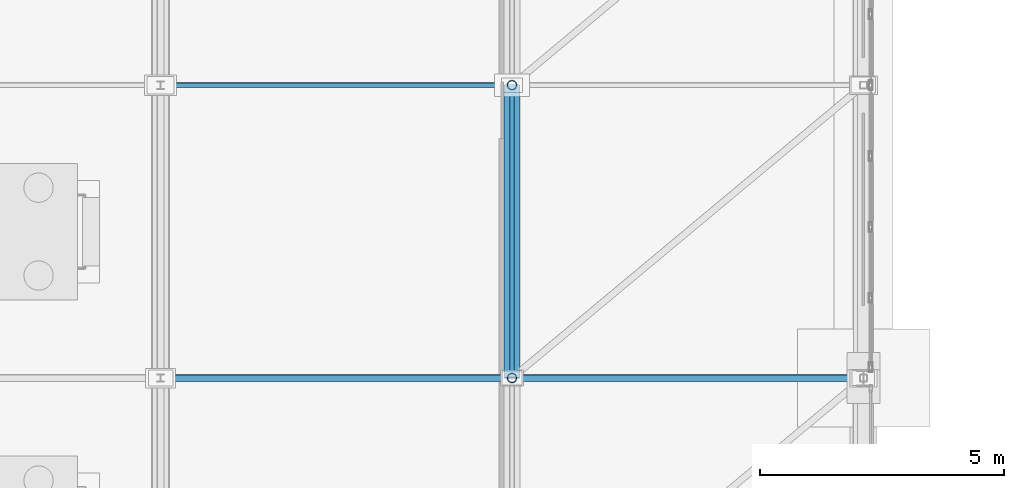
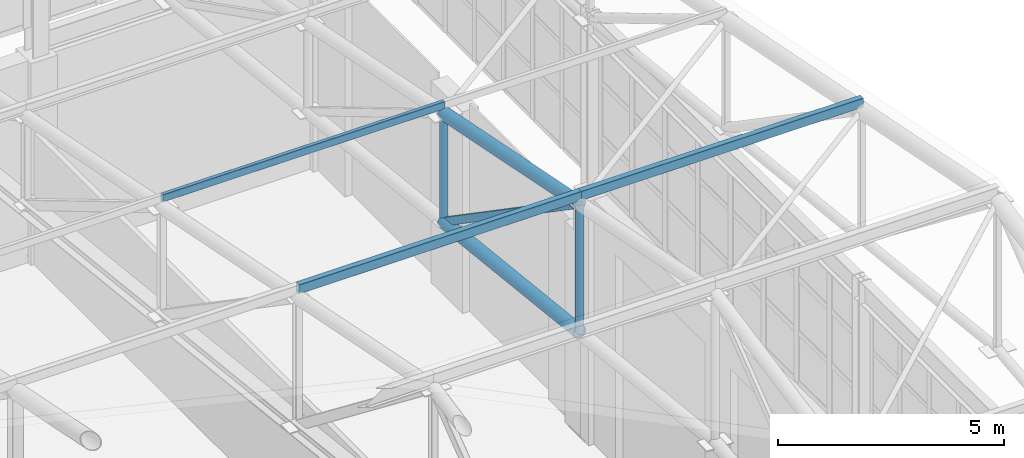
# One storey, part 194 of 293: 8 members.
"""IFC4 building model written with IfcOpenShell, lengths in metres."""

from ifc_helpers import new_model, si_unit, direction, frame, origin, origin_2d, place, context, subcontext, project, spatial, hollow_rectangle, hollow_circle, extrude, material, material_profile, profile_set, type_object, element, save


model = new_model("IFC4")

# Units and contexts
model_context = context("Model", 3, precision=1e-05, world=origin(), true_north=direction((0.0, 1.0)))
body_context = subcontext(model_context, "Body", "Model", "MODEL_VIEW")
ifc_project = project(units=[si_unit("LENGTHUNIT", "METRE"), si_unit("AREAUNIT", "SQUARE_METRE"), si_unit("VOLUMEUNIT", "CUBIC_METRE"), si_unit("PLANEANGLEUNIT", "RADIAN"), si_unit("MASSUNIT", "GRAM", prefix="KILO")], contexts=[model_context])

# Site, building, storey
site_placement = place(None, origin())
site = spatial("IfcSite", under=ifc_project, at=site_placement, CompositionType="ELEMENT")
building_placement = place(site_placement, origin())
building = spatial("IfcBuilding", under=site, at=building_placement, Name="Kemerveld Promenade Tramway Depot", CompositionType="ELEMENT")
storey_placement = place(building_placement, origin())
storey = spatial("IfcBuildingStorey", under=building, at=storey_placement, Name="L00", CompositionType="ELEMENT", Elevation=0.0)

# Members
ifc_material = material(Name="Steel S355", Category="steel")
ifc_material_profile_1 = material_profile(ifc_material, hollow_rectangle(XDim=0.10009765625, YDim=0.199951171875, WallThickness=0.008056640625, InnerFilletRadius=0.00390625, OuterFilletRadius=0.011962890625, at=origin_2d()), Name="200x100x8.0 RHS")
ifc_profile_set_1 = profile_set([ifc_material_profile_1], Name="Steel S355")
member_type_1 = type_object("IfcMemberType", Name="MB-M03", PredefinedType="BRACE", material=ifc_profile_set_1)
member_1_placement = place(storey_placement, frame((180.0, 126.0, 11.780029296875), z_axis=(0.0, -0.824370638462, 0.566050395673), x_axis=(1.0, 0.0, 0.0)))
element("IfcMember", 1, at=member_1_placement, inside=storey, type_object=member_type_1, Name="TR-26-DG-07", PredefinedType="BRACE", context=body_context, shape_type="SweptSolid", body=[
    extrude(hollow_rectangle(XDim=0.10009765625, YDim=0.199951171875, WallThickness=0.008056640625, InnerFilletRadius=0.00390625, OuterFilletRadius=0.011962890625, at=origin_2d()), origin(), (0.0, 0.0, 1.0), 7.2783203125),
])
ifc_material_profile_2 = material_profile(ifc_material, hollow_rectangle(XDim=0.14990234375, YDim=0.25, WallThickness=0.010009765625, InnerFilletRadius=0.0048828125, OuterFilletRadius=0.014892578125, at=origin_2d()), Name="250x150x10.0 RHS")
ifc_profile_set_2 = profile_set([ifc_material_profile_2], Name="Steel S355")
member_type_2 = type_object("IfcMemberType", Name="MB-PR1", PredefinedType="PURLIN", material=ifc_profile_set_2)
for number, where, z_axis, x_axis, name in (
    (2, (172.800048828125, 120.0, 16.14501953125), (1.0, 0.0, 0.0), (0.0, 1.0, 0.0), "PUR-V1-06-25"),
    (3, (180.0, 120.0, 16.14501953125), (1.0, 0.0, 0.0), (0.0, 1.0, 0.0), "PUR-V1-06-26"),
):
    element("IfcMember", number, at=place(storey_placement, frame(where, z_axis=z_axis, x_axis=x_axis)), inside=storey, type_object=member_type_2, Name=name, PredefinedType="PURLIN", context=body_context, shape_type="SweptSolid", body=[
        extrude(hollow_rectangle(XDim=0.14990234375, YDim=0.25, WallThickness=0.010009765625, InnerFilletRadius=0.0048828125, OuterFilletRadius=0.014892578125, at=origin_2d()), origin(), (0.0, 0.0, 1.0), 7.199951171875),
    ])
ifc_material_profile_3 = material_profile(ifc_material, hollow_rectangle(XDim=0.10009765625, YDim=0.199951171875, WallThickness=0.008056640625, InnerFilletRadius=0.00390625, OuterFilletRadius=0.011962890625, at=origin_2d()), Name="200x100x8.0 RHS")
ifc_profile_set_3 = profile_set([ifc_material_profile_3], Name="Steel S355")
member_type_3 = type_object("IfcMemberType", Name="MB-PR2", PredefinedType="PURLIN", material=ifc_profile_set_3)
member_2_placement = place(storey_placement, frame((172.800048828125, 126.0, 14.945068359375), z_axis=(1.0, 0.0, 0.0), x_axis=(0.0, 1.0, 0.0)))
element("IfcMember", 4, at=member_2_placement, inside=storey, type_object=member_type_3, Name="PUR-V1-07-25", PredefinedType="PURLIN", context=body_context, shape_type="SweptSolid", body=[
    extrude(hollow_rectangle(XDim=0.10009765625, YDim=0.199951171875, WallThickness=0.008056640625, InnerFilletRadius=0.00390625, OuterFilletRadius=0.011962890625, at=origin_2d()), origin(), (0.0, 0.0, 1.0), 7.199951171875),
])
ifc_material_profile_4 = material_profile(ifc_material, hollow_circle(Radius=0.161865234375, WallThickness=0.012451171875, at=origin_2d()), Name="323.9x12.5 CHS")
ifc_profile_set_4 = profile_set([ifc_material_profile_4], Name="Steel S355")
member_type_4 = type_object("IfcMemberType", Name="MB-TC2", PredefinedType="CHORD", material=ifc_profile_set_4)
member_3_placement = place(storey_placement, frame((180.0, 120.0, 15.89990234375), z_axis=(0.0, 0.980582210276, -0.196108462057), x_axis=(-1.0, 0.0, 0.0)))
element("IfcMember", 5, at=member_3_placement, inside=storey, type_object=member_type_4, Name="TR-26-TC-07", PredefinedType="CHORD", context=body_context, shape_type="SweptSolid", body=[
    extrude(hollow_circle(Radius=0.161865234375, WallThickness=0.012451171875, at=origin_2d()), origin(), (0.0, 0.0, 1.0), 6.118896484375),
])
member_4_placement = place(storey_placement, frame((180.0, 120.0, 12.43994140625), z_axis=(0.0, 0.994005938353, -0.109326092585), x_axis=(-1.0, 0.0, 0.0)))
element("IfcMember", 6, at=member_4_placement, inside=storey, type_object=member_type_4, Name="TR-26-BC-07", PredefinedType="CHORD", context=body_context, shape_type="SweptSolid", body=[
    extrude(hollow_circle(Radius=0.161865234375, WallThickness=0.012451171875, at=origin_2d()), origin(), (0.0, 0.0, 1.0), 6.0361328125),
])
ifc_material_profile_5 = material_profile(ifc_material, hollow_circle(Radius=0.096923828125, WallThickness=0.008056640625, at=origin_2d()), Name="193.7x8.0 CHS")
ifc_profile_set_5 = profile_set([ifc_material_profile_5], Name="Steel S355")
member_type_5 = type_object("IfcMemberType", Name="MB-TP1", PredefinedType="POST", material=ifc_profile_set_5)
member_5_placement = place(storey_placement, frame((180.0, 120.0, 12.43994140625), z_axis=(0.0, 0.0, 1.0), x_axis=(1.0, 0.0, 0.0)))
element("IfcMember", 7, at=member_5_placement, inside=storey, type_object=member_type_5, Name="TR-26-VT-06", PredefinedType="POST", context=body_context, shape_type="SweptSolid", body=[
    extrude(hollow_circle(Radius=0.096923828125, WallThickness=0.008056640625, at=origin_2d()), origin(), (0.0, 0.0, 1.0), 3.4599609375),
])
member_6_placement = place(storey_placement, frame((180.0, 126.0, 11.780029296875), z_axis=(0.0, 0.0, 1.0), x_axis=(1.0, 0.0, 0.0)))
element("IfcMember", 8, at=member_6_placement, inside=storey, type_object=member_type_5, Name="TR-26-VT-07", PredefinedType="POST", context=body_context, shape_type="SweptSolid", body=[
    extrude(hollow_circle(Radius=0.096923828125, WallThickness=0.008056640625, at=origin_2d()), origin(), (0.0, 0.0, 1.0), 2.919921875),
])

save(model, "model.ifc")
